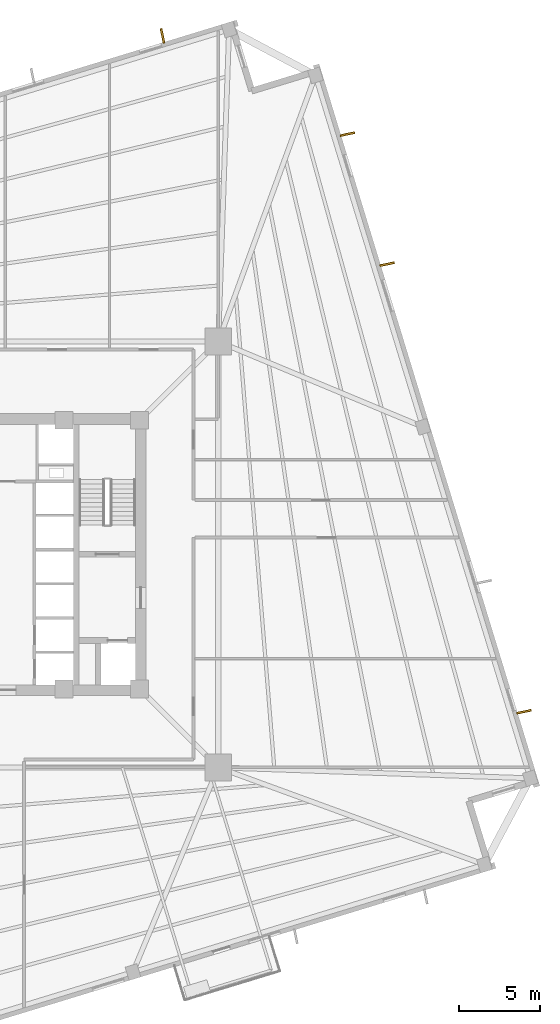
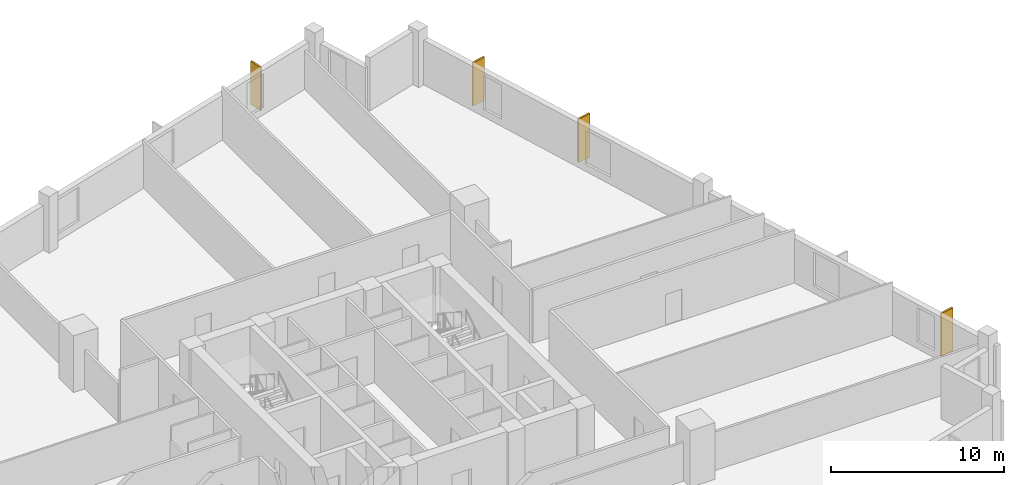
# One storey, part 8 of 8: 4 coverings.
"""IFC4 building model written with IfcOpenShell, lengths in metres."""

from ifc_helpers import new_model, si_unit, direction, frame, origin, origin_2d, place, context, subcontext, project, spatial, rectangle, extrude, source, transform, mapped, material, layer, layer_set, type_object, element, save


model = new_model("IFC4")

# Units and contexts
model_context = context("Model", 3, precision=1e-05, world=origin(), true_north=direction((0.0, 1.0)))
body_context = subcontext(model_context, "Body", "Model", "MODEL_VIEW")
ifc_project = project(units=[si_unit("LENGTHUNIT", "METRE"), si_unit("AREAUNIT", "SQUARE_METRE"), si_unit("VOLUMEUNIT", "CUBIC_METRE"), si_unit("PLANEANGLEUNIT", "RADIAN"), si_unit("MASSUNIT", "GRAM", prefix="KILO"), si_unit("THERMODYNAMICTEMPERATUREUNIT", "KELVIN")], contexts=[model_context])

# Site, building, storey
site_placement = place(None, origin())
site = spatial("IfcSite", under=ifc_project, at=site_placement, CompositionType="ELEMENT")
building_placement = place(site_placement, origin())
building = spatial("IfcBuilding", under=site, at=building_placement, Name="Kosmvard Interchange Tower", CompositionType="ELEMENT")
storey_placement = place(building_placement, frame((0.0, 0.0, 123.199951171875)))
storey = spatial("IfcBuildingStorey", under=building, at=storey_placement, Name="L29", CompositionType="ELEMENT", Elevation=123.199951171875)

# Coverings
ifc_material = material(Name="Architectural anodised aluminium", Category="aluminium")
ifc_layer = layer(ifc_material, 0.1201171875, Name="Architectural anodised aluminium")
ifc_layer_set = layer_set([ifc_layer], Name="Architectural anodised aluminium")
covering_type = type_object("IfcCoveringType", Name="Rotating Vertical Sun-Breaker Fin 900x120 Aluminium", PredefinedType="CLADDING", material=ifc_layer_set)
shared_shape = source(origin(), body_context, "Body", "SweptSolid", [
    extrude(rectangle(XDim=0.89990234375, YDim=0.1201171875, at=origin_2d()), origin(), (0.0, 0.0, 1.0), 3.06005859375),
])
for number, where, z_axis, x_axis, name in (
    (1, (31.865966796875, -9.6572265625, 0.0400390625), (0.0, 0.0, 1.0), (0.978795946539, 0.204837728554, 0.0), "L29 Rotating Vertical Sun-Breaker Fin 05"),
    (2, (23.45849609375, 17.841796875, 0.0400390625), (0.0, 0.0, 1.0), (0.978795946539, 0.204837728554, 0.0), "L29 Rotating Vertical Sun-Breaker Fin 07"),
    (3, (21.017822265625, 25.825439453125, 0.0400390625), (0.0, 0.0, 1.0), (0.978795946539, 0.204837728554, 0.0), "L29 Rotating Vertical Sun-Breaker Fin 08"),
    (4, (9.6572265625, 31.865966796875, 0.0400390625), (0.0, 0.0, 1.0), (-0.204837728554, 0.978795946539, 0.0), "L29 Rotating Vertical Sun-Breaker Fin 09"),
):
    element("IfcCovering", number, at=place(storey_placement, frame(where, z_axis=z_axis, x_axis=x_axis)), inside=storey, type_object=covering_type, Name=name, PredefinedType="CLADDING", context=body_context, shape_type="MappedRepresentation", body=[
        mapped(shared_shape, transform((0.0, 0.0, 0.0), scale=1.0)),
    ])

save(model, "model.ifc")
